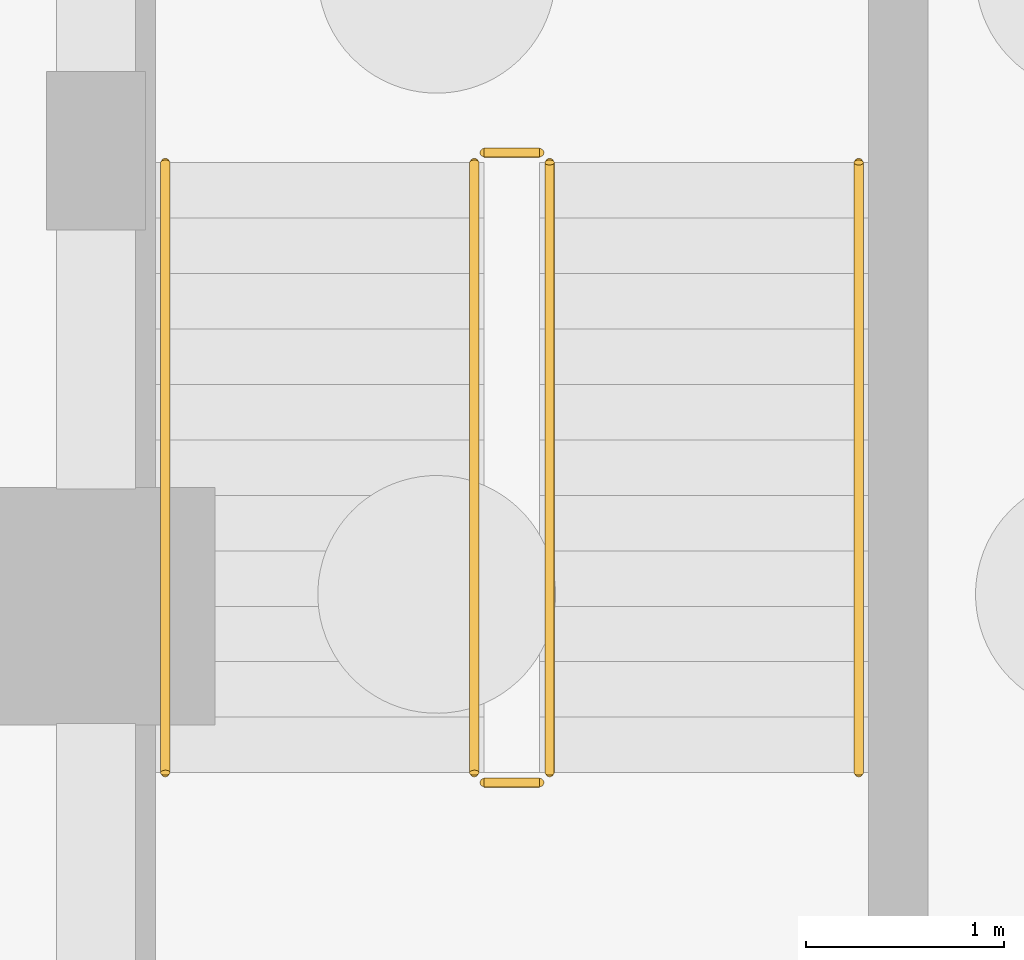
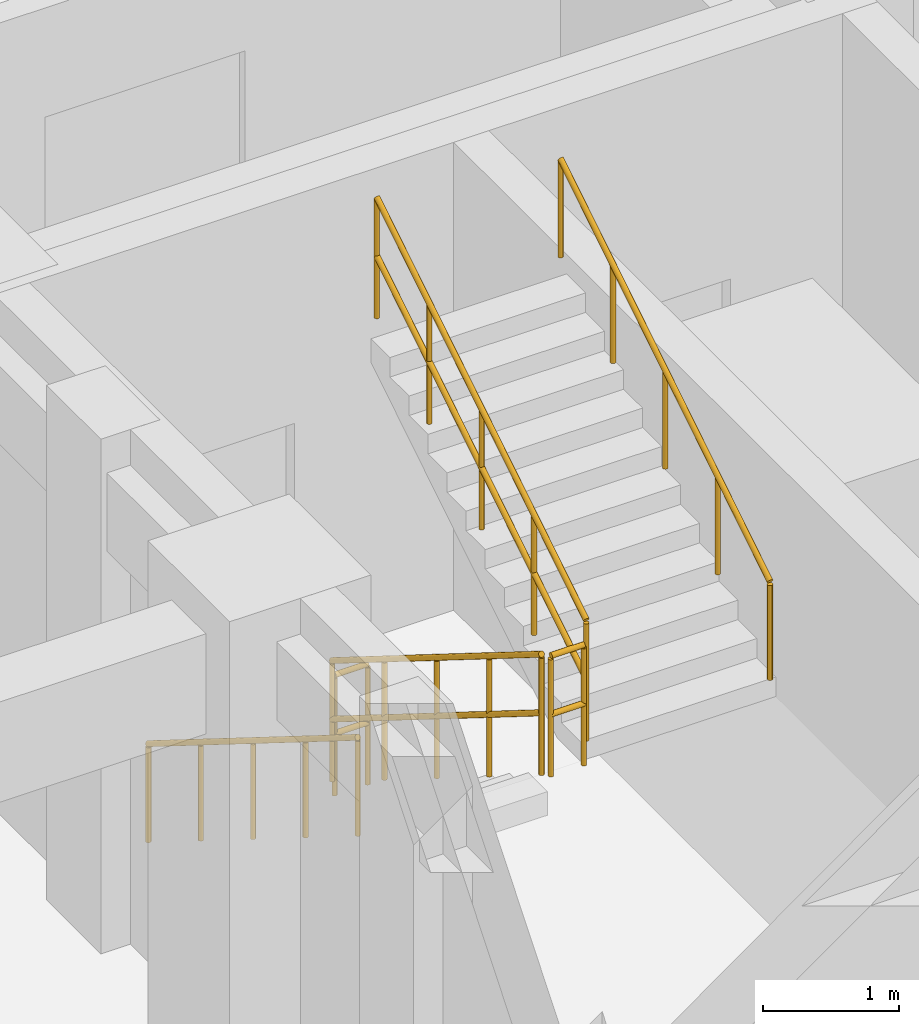
# One storey, part 28 of 32: 6 railings.
"""IFC4 building model written with IfcOpenShell, lengths in metres."""

from ifc_helpers import new_model, si_unit, direction, frame, origin, origin_2d, place, context, subcontext, project, spatial, circle, extrude, material, type_object, element, save


model = new_model("IFC4")

# Units and contexts
model_context = context("Model", 3, precision=1e-05, world=origin(), true_north=direction((0.0, 1.0)))
body_context = subcontext(model_context, "Body", "Model", "MODEL_VIEW")
ifc_project = project(units=[si_unit("LENGTHUNIT", "METRE"), si_unit("AREAUNIT", "SQUARE_METRE"), si_unit("VOLUMEUNIT", "CUBIC_METRE"), si_unit("PLANEANGLEUNIT", "RADIAN"), si_unit("MASSUNIT", "GRAM", prefix="KILO")], contexts=[model_context])

# Site, building, storey
site_placement = place(None, origin())
site = spatial("IfcSite", under=ifc_project, at=site_placement, CompositionType="ELEMENT")
building_placement = place(site_placement, origin())
building = spatial("IfcBuilding", under=site, at=building_placement, Name="Muzn Square Opera House", CompositionType="ELEMENT")
storey_placement = place(building_placement, frame((0.0, 0.0, -4.199951171875)))
storey = spatial("IfcBuildingStorey", under=building, at=storey_placement, Name="B1", CompositionType="ELEMENT", Elevation=-4.199951171875)

# Railings
ifc_material = material(Name="Brushed stainless steel", Category="metal")
railing_type_1 = type_object("IfcRailingType", Name="Stair Guard Railing 1120mm", PredefinedType="GUARDRAIL", material=ifc_material)
railing_1_placement = place(storey_placement, frame((44.909912109375, 28.840087890625, 0.175048828125)))
element("IfcRailing", 1, at=railing_1_placement, inside=storey, type_object=railing_type_1, Name="B1 ST-3 stair guard 1", PredefinedType="GUARDRAIL", context=body_context, shape_type="SweptSolid", body=[
    extrude(circle(Radius=0.02392578125, at=origin_2d()), frame((0.0, 0.0, 1.076171875), z_axis=(0.0, -0.848028513186, 0.529950602248), x_axis=(1.0, 0.0, 0.0)), (0.0, 0.0, 1.0), 3.632080078125),
    extrude(circle(Radius=0.02392578125, at=origin_2d()), frame((0.0, 0.0, 0.550048828125), z_axis=(0.0, -0.848028513186, 0.529950602248), x_axis=(1.0, 0.0, 0.0)), (0.0, 0.0, 1.0), 3.632080078125),
    extrude(circle(Radius=0.02099609375, at=origin_2d()), origin(), (0.0, 0.0, 1.0), 1.052001953125),
    extrude(circle(Radius=0.02099609375, at=origin_2d()), frame((0.0, -0.77001953125, 0.481201171875)), (0.0, 0.0, 1.0), 1.052001953125),
    extrude(circle(Radius=0.02099609375, at=origin_2d()), frame((0.0, -1.5400390625, 0.96240234375)), (0.0, 0.0, 1.0), 1.052001953125),
    extrude(circle(Radius=0.02099609375, at=origin_2d()), frame((0.0, -2.31005859375, 1.443603515625)), (0.0, 0.0, 1.0), 1.052001953125),
    extrude(circle(Radius=0.02099609375, at=origin_2d()), frame((0.0, -3.080078125, 1.9248046875)), (0.0, 0.0, 1.0), 1.052001953125),
])
railing_2_placement = place(storey_placement, frame((44.9599609375, 25.7099609375, 2.099853515625)))
element("IfcRailing", 2, at=railing_2_placement, inside=storey, type_object=railing_type_1, Name="B1 ST-3 stair guard 2", PredefinedType="GUARDRAIL", context=body_context, shape_type="SweptSolid", body=[
    extrude(circle(Radius=0.02392578125, at=origin_2d()), frame((0.0, 0.0, 1.076171875), z_axis=(1.0, 0.0, 0.0), x_axis=(0.0, 1.0, 0.0)), (0.0, 0.0, 1.0), 0.280029296875),
    extrude(circle(Radius=0.02392578125, at=origin_2d()), frame((0.0, 0.0, 0.550048828125), z_axis=(1.0, 0.0, 0.0), x_axis=(0.0, 1.0, 0.0)), (0.0, 0.0, 1.0), 0.280029296875),
    extrude(circle(Radius=0.02099609375, at=origin_2d()), origin(), (0.0, 0.0, 1.0), 1.052001953125),
    extrude(circle(Radius=0.02099609375, at=origin_2d()), frame((0.280029296875, 0.0, 0.0)), (0.0, 0.0, 1.0), 1.052001953125),
])
railing_3_placement = place(storey_placement, frame((45.2900390625, 25.760009765625, 2.27490234375)))
element("IfcRailing", 3, at=railing_3_placement, inside=storey, type_object=railing_type_1, Name="B1 ST-3 stair guard 3", PredefinedType="GUARDRAIL", context=body_context, shape_type="SweptSolid", body=[
    extrude(circle(Radius=0.02392578125, at=origin_2d()), frame((0.0, 0.0, 1.076171875), z_axis=(0.0, 0.847998304005, 0.529998940003), x_axis=(-1.0, 0.0, 0.0)), (0.0, 0.0, 1.0), 3.632080078125),
    extrude(circle(Radius=0.02392578125, at=origin_2d()), frame((0.0, 0.0, 0.550048828125), z_axis=(0.0, 0.847998304005, 0.529998940003), x_axis=(-1.0, 0.0, 0.0)), (0.0, 0.0, 1.0), 3.632080078125),
    extrude(circle(Radius=0.02099609375, at=origin_2d()), origin(), (0.0, 0.0, 1.0), 1.052001953125),
    extrude(circle(Radius=0.02099609375, at=origin_2d()), frame((0.0, 0.77001953125, 0.481201171875)), (0.0, 0.0, 1.0), 1.052001953125),
    extrude(circle(Radius=0.02099609375, at=origin_2d()), frame((0.0, 1.5400390625, 0.96240234375)), (0.0, 0.0, 1.0), 1.052001953125),
    extrude(circle(Radius=0.02099609375, at=origin_2d()), frame((0.0, 2.31005859375, 1.44384765625)), (0.0, 0.0, 1.0), 1.052001953125),
    extrude(circle(Radius=0.02099609375, at=origin_2d()), frame((0.0, 3.080078125, 1.925048828125)), (0.0, 0.0, 1.0), 1.052001953125),
])
railing_4_placement = place(storey_placement, frame((44.9599609375, 28.889892578125, 0.0)))
element("IfcRailing", 4, at=railing_4_placement, inside=storey, type_object=railing_type_1, Name="B1 ST-3 stair guard 4", PredefinedType="GUARDRAIL", context=body_context, shape_type="SweptSolid", body=[
    extrude(circle(Radius=0.02392578125, at=origin_2d()), frame((0.0, 0.0, 1.076171875), z_axis=(1.0, 0.0, 0.0), x_axis=(0.0, 1.0, 0.0)), (0.0, 0.0, 1.0), 0.280029296875),
    extrude(circle(Radius=0.02392578125, at=origin_2d()), frame((0.0, 0.0, 0.550048828125), z_axis=(1.0, 0.0, 0.0), x_axis=(0.0, 1.0, 0.0)), (0.0, 0.0, 1.0), 0.280029296875),
    extrude(circle(Radius=0.02099609375, at=origin_2d()), origin(), (0.0, 0.0, 1.0), 1.052001953125),
    extrude(circle(Radius=0.02099609375, at=origin_2d()), frame((0.280029296875, 0.0, 0.0)), (0.0, 0.0, 1.0), 1.052001953125),
])
railing_type_2 = type_object("IfcRailingType", Name="Stair Pitch Handrail 900mm", PredefinedType="HANDRAIL", material=ifc_material)
railing_5_placement = place(storey_placement, frame((43.35009765625, 28.840087890625, 0.175048828125)))
element("IfcRailing", 5, at=railing_5_placement, inside=storey, type_object=railing_type_2, Name="B1 ST-3 stair handrail 1", PredefinedType="HANDRAIL", context=body_context, shape_type="SweptSolid", body=[
    extrude(circle(Radius=0.02392578125, at=origin_2d()), frame((0.0, 0.0, 0.8759765625), z_axis=(0.0, -0.848028513186, 0.529950602248), x_axis=(1.0, 0.0, 0.0)), (0.0, 0.0, 1.0), 3.632080078125),
    extrude(circle(Radius=0.02099609375, at=origin_2d()), origin(), (0.0, 0.0, 1.0), 0.851806640625),
    extrude(circle(Radius=0.02099609375, at=origin_2d()), frame((0.0, -0.77001953125, 0.481201171875)), (0.0, 0.0, 1.0), 0.851806640625),
    extrude(circle(Radius=0.02099609375, at=origin_2d()), frame((0.0, -1.5400390625, 0.96240234375)), (0.0, 0.0, 1.0), 0.851806640625),
    extrude(circle(Radius=0.02099609375, at=origin_2d()), frame((0.0, -2.31005859375, 1.443603515625)), (0.0, 0.0, 1.0), 0.851806640625),
    extrude(circle(Radius=0.02099609375, at=origin_2d()), frame((0.0, -3.080078125, 1.9248046875)), (0.0, 0.0, 1.0), 0.851806640625),
])
railing_6_placement = place(storey_placement, frame((46.85009765625, 25.760009765625, 2.27490234375)))
element("IfcRailing", 6, at=railing_6_placement, inside=storey, type_object=railing_type_2, Name="B1 ST-3 stair handrail 2", PredefinedType="HANDRAIL", context=body_context, shape_type="SweptSolid", body=[
    extrude(circle(Radius=0.02392578125, at=origin_2d()), frame((0.0, 0.0, 0.8759765625), z_axis=(0.0, 0.847998304005, 0.529998940003), x_axis=(-1.0, 0.0, 0.0)), (0.0, 0.0, 1.0), 3.632080078125),
    extrude(circle(Radius=0.02099609375, at=origin_2d()), origin(), (0.0, 0.0, 1.0), 0.851806640625),
    extrude(circle(Radius=0.02099609375, at=origin_2d()), frame((0.0, 0.77001953125, 0.481201171875)), (0.0, 0.0, 1.0), 0.851806640625),
    extrude(circle(Radius=0.02099609375, at=origin_2d()), frame((0.0, 1.5400390625, 0.96240234375)), (0.0, 0.0, 1.0), 0.851806640625),
    extrude(circle(Radius=0.02099609375, at=origin_2d()), frame((0.0, 2.31005859375, 1.44384765625)), (0.0, 0.0, 1.0), 0.851806640625),
    extrude(circle(Radius=0.02099609375, at=origin_2d()), frame((0.0, 3.080078125, 1.925048828125)), (0.0, 0.0, 1.0), 0.851806640625),
])

save(model, "model.ifc")
